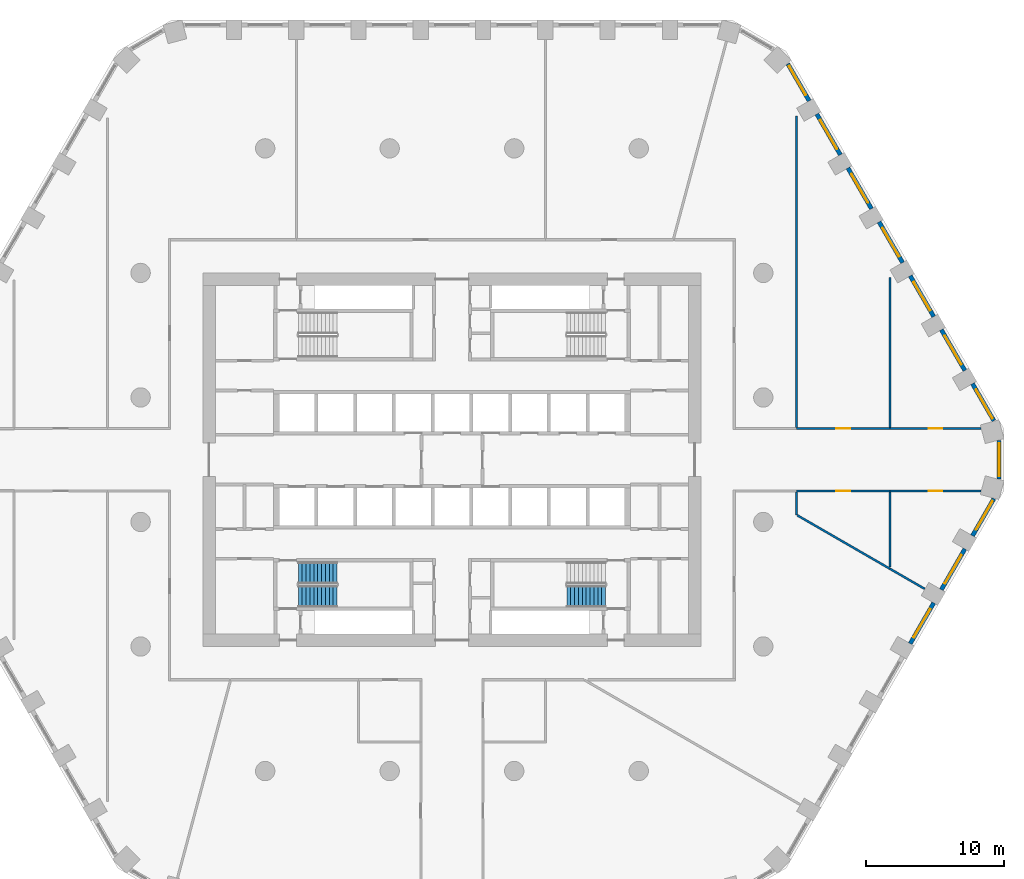
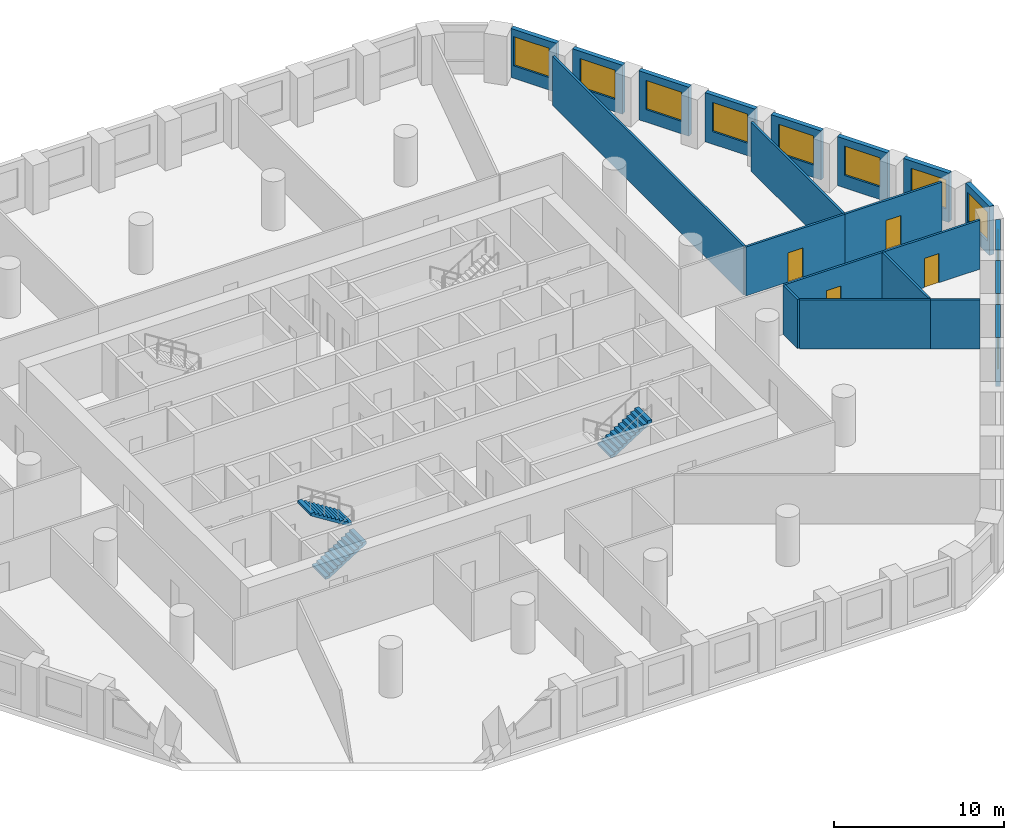
# One storey, part 8 of 10: 21 walls, 11 windows, 4 doors, 3 stair flights, 15 openings, 2 elements without a shape of their own.
"""IFC4 building model written with IfcOpenShell, lengths in metres."""

from ifc_helpers import new_model, si_unit, direction, frame, frame_2d, origin, place, context, subcontext, project, spatial, polyline, rectangle, outline, extrude, material, layer, layer_set, type_object, element, fill, aggregate, save


model = new_model("IFC4")

# Units and contexts
model_context = context("Model", 3, precision=1e-05, world=origin(), true_north=direction((0.0, 1.0)))
body_context = subcontext(model_context, "Body", "Model", "MODEL_VIEW")
ifc_project = project(units=[si_unit("LENGTHUNIT", "METRE"), si_unit("AREAUNIT", "SQUARE_METRE"), si_unit("VOLUMEUNIT", "CUBIC_METRE"), si_unit("PLANEANGLEUNIT", "RADIAN"), si_unit("MASSUNIT", "GRAM", prefix="KILO")], contexts=[model_context])

# Site, building, storey
site_placement = place(None, origin())
site = spatial("IfcSite", under=ifc_project, at=site_placement, CompositionType="ELEMENT")
building_placement = place(site_placement, origin())
building = spatial("IfcBuilding", under=site, at=building_placement, Name="Dhurran Vertical Campus", CompositionType="ELEMENT")
storey_placement = place(building_placement, frame((0.0, 0.0, 65.10009765625)))
storey = spatial("IfcBuildingStorey", under=building, at=storey_placement, Name="L15", CompositionType="ELEMENT", Elevation=65.10009765625)

# Wall, opening, window
ifc_material_1 = material(Name="Precast concrete C50/60", Category="concrete")
ifc_layer_1 = layer(ifc_material_1, 0.300048828125)
ifc_layer_set_1 = layer_set([ifc_layer_1], Name="Precast concrete C50/60")
wall_type_1 = type_object("IfcWallType", Name="Precast spandrel wall 300", PredefinedType="SOLIDWALL", material=ifc_layer_set_1)
wall_1_placement = place(storey_placement, frame((33.119384765625, -13.28955078125, 0.0), z_axis=(0.0, 0.0, 1.0), x_axis=(0.499993955907, 0.866028893315, 0.0)))
wall_1 = element("IfcWall", 1, at=wall_1_placement, inside=storey, type_object=wall_type_1, Name="EW1 L15.14", PredefinedType="SOLIDWALL", context=body_context, shape_type="SweptSolid", body=[
    extrude(rectangle(XDim=3.39892578125, YDim=0.300048828125, at=frame_2d((1.699462890625, 0.0))), origin(), (0.0, 0.0, 1.0), 3.52490234375),
])
opening_1_placement = place(wall_1_placement, frame((0.49951171875, 0.0, 0.89990234375)))
opening_1 = element("IfcOpeningElement", 2, at=opening_1_placement, cuts=wall_1, Name="Opening WT1", PredefinedType="OPENING", context=body_context, shape_type="SweptSolid", body=[
    extrude(rectangle(XDim=2.39990234375, YDim=2.10009765625, at=frame_2d((1.199951171875, 1.050048828125))), frame((0.0, 0.159912109375, 0.0), z_axis=(0.0, -1.0, 0.0), x_axis=(1.0, 0.0, 0.0)), (0.0, 0.0, 1.0), 0.320068359375),
])
ifc_material_2 = material(Name="Aluminium frame with solar-control glass", Category="aluminium")
window_type = type_object("IfcWindowType", Name="Punched window 2400 x 2100", PartitioningType="SINGLE_PANEL", PredefinedType="WINDOW", material=ifc_material_2)
window_1_placement = place(opening_1_placement, origin())
window_1 = element("IfcWindow", 3, at=window_1_placement, inside=storey, type_object=window_type, Name="WT1 L15.14", OverallHeight=2.10009765625, OverallWidth=2.39990234375, PartitioningType="SINGLE_PANEL", PredefinedType="WINDOW", context=body_context, shape_type="SweptSolid", body=[
    extrude(rectangle(XDim=2.39990234375, YDim=2.10009765625, at=frame_2d((1.199951171875, 1.050048828125))), frame((0.0, 0.030029296875, 0.0), z_axis=(0.0, -1.0, 0.0), x_axis=(1.0, 0.0, 0.0)), (0.0, 0.0, 1.0), 0.06005859375),
])
fill(opening_1, window_1)

wall_2_placement = place(storey_placement, frame((35.369384765625, -9.392578125, 0.0), z_axis=(0.0, 0.0, 1.0), x_axis=(0.499993955907, 0.866028893315, 0.0)))
wall_2 = element("IfcWall", 4, at=wall_2_placement, inside=storey, type_object=wall_type_1, Name="EW1 L15.15", PredefinedType="SOLIDWALL", context=body_context, shape_type="SweptSolid", body=[
    extrude(rectangle(XDim=3.39892578125, YDim=0.300048828125, at=frame_2d((1.699462890625, 0.0))), origin(), (0.0, 0.0, 1.0), 3.52490234375),
])
opening_2_placement = place(wall_2_placement, frame((0.49951171875, 0.0, 0.89990234375)))
opening_2 = element("IfcOpeningElement", 5, at=opening_2_placement, cuts=wall_2, Name="Opening WT1", PredefinedType="OPENING", context=body_context, shape_type="SweptSolid", body=[
    extrude(rectangle(XDim=2.39990234375, YDim=2.10009765625, at=frame_2d((1.199951171875, 1.050048828125))), frame((0.0, 0.159912109375, 0.0), z_axis=(0.0, -1.0, 0.0), x_axis=(1.0, 0.0, 0.0)), (0.0, 0.0, 1.0), 0.320068359375),
])
window_2_placement = place(opening_2_placement, origin())
window_2 = element("IfcWindow", 6, at=window_2_placement, inside=storey, type_object=window_type, Name="WT1 L15.15", OverallHeight=2.10009765625, OverallWidth=2.39990234375, PartitioningType="SINGLE_PANEL", PredefinedType="WINDOW", context=body_context, shape_type="SweptSolid", body=[
    extrude(rectangle(XDim=2.39990234375, YDim=2.10009765625, at=frame_2d((1.199951171875, 1.050048828125))), frame((0.0, 0.030029296875, 0.0), z_axis=(0.0, -1.0, 0.0), x_axis=(1.0, 0.0, 0.0)), (0.0, 0.0, 1.0), 0.06005859375),
])
fill(opening_2, window_2)

wall_3_placement = place(storey_placement, frame((37.619384765625, -5.495361328125, 0.0), z_axis=(0.0, 0.0, 1.0), x_axis=(0.49997090907, 0.866042198789, 0.0)))
wall_3 = element("IfcWall", 7, at=wall_3_placement, inside=storey, type_object=wall_type_1, Name="EW1 L15.16", PredefinedType="SOLIDWALL", context=body_context, shape_type="SweptSolid", body=[
    extrude(rectangle(XDim=3.090576171875, YDim=0.300048828125, at=frame_2d((1.54541015625, 0.0))), origin(), (0.0, 0.0, 1.0), 3.52490234375),
])
opening_3_placement = place(wall_3_placement, frame((0.49951171875, 0.0, 0.89990234375)))
opening_3 = element("IfcOpeningElement", 8, at=opening_3_placement, cuts=wall_3, Name="Opening WT1", PredefinedType="OPENING", context=body_context, shape_type="SweptSolid", body=[
    extrude(rectangle(XDim=2.39990234375, YDim=2.10009765625, at=frame_2d((1.199951171875, 1.050048828125))), frame((0.0, 0.159912109375, 0.0), z_axis=(0.0, -1.0, 0.0), x_axis=(1.0, 0.0, 0.0)), (0.0, 0.0, 1.0), 0.320068359375),
])
window_3_placement = place(opening_3_placement, origin())
window_3 = element("IfcWindow", 9, at=window_3_placement, inside=storey, type_object=window_type, Name="WT1 L15.16", OverallHeight=2.10009765625, OverallWidth=2.39990234375, PartitioningType="SINGLE_PANEL", PredefinedType="WINDOW", context=body_context, shape_type="SweptSolid", body=[
    extrude(rectangle(XDim=2.39990234375, YDim=2.10009765625, at=frame_2d((1.199951171875, 1.050048828125))), frame((0.0, 0.030029296875, 0.0), z_axis=(0.0, -1.0, 0.0), x_axis=(1.0, 0.0, 0.0)), (0.0, 0.0, 1.0), 0.06005859375),
])
fill(opening_3, window_3)

wall_4_placement = place(storey_placement, frame((39.547119140625, -1.39111328125, 0.0), z_axis=(0.0, 0.0, 1.0), x_axis=(0.0, 1.0, 0.0)))
wall_4 = element("IfcWall", 10, at=wall_4_placement, inside=storey, type_object=wall_type_1, Name="EW1 L15.17", PredefinedType="SOLIDWALL", context=body_context, shape_type="SweptSolid", body=[
    extrude(rectangle(XDim=2.7822265625, YDim=0.300048828125, at=frame_2d((1.39111328125, 0.0))), origin(), (0.0, 0.0, 1.0), 3.52490234375),
])
opening_4_placement = place(wall_4_placement, frame((0.191162109375, 0.0, 0.89990234375)))
opening_4 = element("IfcOpeningElement", 11, at=opening_4_placement, cuts=wall_4, Name="Opening WT1", PredefinedType="OPENING", context=body_context, shape_type="SweptSolid", body=[
    extrude(rectangle(XDim=2.39990234375, YDim=2.10009765625, at=frame_2d((1.199951171875, 1.050048828125))), frame((0.0, 0.159912109375, 0.0), z_axis=(0.0, -1.0, 0.0), x_axis=(1.0, 0.0, 0.0)), (0.0, 0.0, 1.0), 0.320068359375),
])
window_4_placement = place(opening_4_placement, origin())
window_4 = element("IfcWindow", 12, at=window_4_placement, inside=storey, type_object=window_type, Name="WT1 L15.17", OverallHeight=2.10009765625, OverallWidth=2.39990234375, PartitioningType="SINGLE_PANEL", PredefinedType="WINDOW", context=body_context, shape_type="SweptSolid", body=[
    extrude(rectangle(XDim=2.39990234375, YDim=2.10009765625, at=frame_2d((1.199951171875, 1.050048828125))), frame((0.0, 0.030029296875, 0.0), z_axis=(0.0, -1.0, 0.0), x_axis=(1.0, 0.0, 0.0)), (0.0, 0.0, 1.0), 0.06005859375),
])
fill(opening_4, window_4)

wall_5_placement = place(storey_placement, frame((39.16455078125, 2.81884765625, 0.0), z_axis=(0.0, 0.0, 1.0), x_axis=(-0.49997090907, 0.866042198789, 0.0)))
wall_5 = element("IfcWall", 13, at=wall_5_placement, inside=storey, type_object=wall_type_1, Name="EW1 L15.18", PredefinedType="SOLIDWALL", context=body_context, shape_type="SweptSolid", body=[
    extrude(rectangle(XDim=3.090576171875, YDim=0.300048828125, at=frame_2d((1.54541015625, 0.0))), origin(), (0.0, 0.0, 1.0), 3.52490234375),
])
opening_5_placement = place(wall_5_placement, frame((0.19091796875, 0.0, 0.89990234375)))
opening_5 = element("IfcOpeningElement", 14, at=opening_5_placement, cuts=wall_5, Name="Opening WT1", PredefinedType="OPENING", context=body_context, shape_type="SweptSolid", body=[
    extrude(rectangle(XDim=2.39990234375, YDim=2.10009765625, at=frame_2d((1.199951171875, 1.050048828125))), frame((0.0, 0.159912109375, 0.0), z_axis=(0.0, -1.0, 0.0), x_axis=(1.0, 0.0, 0.0)), (0.0, 0.0, 1.0), 0.320068359375),
])
window_5_placement = place(opening_5_placement, origin())
window_5 = element("IfcWindow", 15, at=window_5_placement, inside=storey, type_object=window_type, Name="WT1 L15.18", OverallHeight=2.10009765625, OverallWidth=2.39990234375, PartitioningType="SINGLE_PANEL", PredefinedType="WINDOW", context=body_context, shape_type="SweptSolid", body=[
    extrude(rectangle(XDim=2.39990234375, YDim=2.10009765625, at=frame_2d((1.199951171875, 1.050048828125))), frame((0.0, 0.030029296875, 0.0), z_axis=(0.0, -1.0, 0.0), x_axis=(1.0, 0.0, 0.0)), (0.0, 0.0, 1.0), 0.06005859375),
])
fill(opening_5, window_5)

wall_6_placement = place(storey_placement, frame((37.06884765625, 6.448974609375, 0.0), z_axis=(0.0, 0.0, 1.0), x_axis=(-0.499993955907, 0.866028893315, 0.0)))
wall_6 = element("IfcWall", 16, at=wall_6_placement, inside=storey, type_object=wall_type_1, Name="EW1 L15.19", PredefinedType="SOLIDWALL", context=body_context, shape_type="SweptSolid", body=[
    extrude(rectangle(XDim=3.39892578125, YDim=0.300048828125, at=frame_2d((1.699462890625, 0.0))), origin(), (0.0, 0.0, 1.0), 3.52490234375),
])
opening_6_placement = place(wall_6_placement, frame((0.49951171875, 0.0, 0.89990234375)))
opening_6 = element("IfcOpeningElement", 17, at=opening_6_placement, cuts=wall_6, Name="Opening WT1", PredefinedType="OPENING", context=body_context, shape_type="SweptSolid", body=[
    extrude(rectangle(XDim=2.39990234375, YDim=2.10009765625, at=frame_2d((1.199951171875, 1.050048828125))), frame((0.0, 0.159912109375, 0.0), z_axis=(0.0, -1.0, 0.0), x_axis=(1.0, 0.0, 0.0)), (0.0, 0.0, 1.0), 0.320068359375),
])
window_6_placement = place(opening_6_placement, origin())
window_6 = element("IfcWindow", 18, at=window_6_placement, inside=storey, type_object=window_type, Name="WT1 L15.19", OverallHeight=2.10009765625, OverallWidth=2.39990234375, PartitioningType="SINGLE_PANEL", PredefinedType="WINDOW", context=body_context, shape_type="SweptSolid", body=[
    extrude(rectangle(XDim=2.39990234375, YDim=2.10009765625, at=frame_2d((1.199951171875, 1.050048828125))), frame((0.0, 0.030029296875, 0.0), z_axis=(0.0, -1.0, 0.0), x_axis=(1.0, 0.0, 0.0)), (0.0, 0.0, 1.0), 0.06005859375),
])
fill(opening_6, window_6)

wall_7_placement = place(storey_placement, frame((34.81884765625, 10.345947265625, 0.0), z_axis=(0.0, 0.0, 1.0), x_axis=(-0.499993955907, 0.866028893315, 0.0)))
wall_7 = element("IfcWall", 19, at=wall_7_placement, inside=storey, type_object=wall_type_1, Name="EW1 L15.20", PredefinedType="SOLIDWALL", context=body_context, shape_type="SweptSolid", body=[
    extrude(rectangle(XDim=3.39892578125, YDim=0.300048828125, at=frame_2d((1.699462890625, 0.0))), origin(), (0.0, 0.0, 1.0), 3.52490234375),
])
opening_7_placement = place(wall_7_placement, frame((0.49951171875, 0.0, 0.89990234375)))
opening_7 = element("IfcOpeningElement", 20, at=opening_7_placement, cuts=wall_7, Name="Opening WT1", PredefinedType="OPENING", context=body_context, shape_type="SweptSolid", body=[
    extrude(rectangle(XDim=2.39990234375, YDim=2.10009765625, at=frame_2d((1.199951171875, 1.050048828125))), frame((0.0, 0.159912109375, 0.0), z_axis=(0.0, -1.0, 0.0), x_axis=(1.0, 0.0, 0.0)), (0.0, 0.0, 1.0), 0.320068359375),
])
window_7_placement = place(opening_7_placement, origin())
window_7 = element("IfcWindow", 21, at=window_7_placement, inside=storey, type_object=window_type, Name="WT1 L15.20", OverallHeight=2.10009765625, OverallWidth=2.39990234375, PartitioningType="SINGLE_PANEL", PredefinedType="WINDOW", context=body_context, shape_type="SweptSolid", body=[
    extrude(rectangle(XDim=2.39990234375, YDim=2.10009765625, at=frame_2d((1.199951171875, 1.050048828125))), frame((0.0, 0.030029296875, 0.0), z_axis=(0.0, -1.0, 0.0), x_axis=(1.0, 0.0, 0.0)), (0.0, 0.0, 1.0), 0.06005859375),
])
fill(opening_7, window_7)

wall_8_placement = place(storey_placement, frame((32.56884765625, 14.2431640625, 0.0), z_axis=(0.0, 0.0, 1.0), x_axis=(-0.499993955907, 0.866028893315, 0.0)))
wall_8 = element("IfcWall", 22, at=wall_8_placement, inside=storey, type_object=wall_type_1, Name="EW1 L15.21", PredefinedType="SOLIDWALL", context=body_context, shape_type="SweptSolid", body=[
    extrude(rectangle(XDim=3.39892578125, YDim=0.300048828125, at=frame_2d((1.699462890625, 0.0))), origin(), (0.0, 0.0, 1.0), 3.52490234375),
])
opening_8_placement = place(wall_8_placement, frame((0.49951171875, 0.0, 0.89990234375)))
opening_8 = element("IfcOpeningElement", 23, at=opening_8_placement, cuts=wall_8, Name="Opening WT1", PredefinedType="OPENING", context=body_context, shape_type="SweptSolid", body=[
    extrude(rectangle(XDim=2.39990234375, YDim=2.10009765625, at=frame_2d((1.199951171875, 1.050048828125))), frame((0.0, 0.159912109375, 0.0), z_axis=(0.0, -1.0, 0.0), x_axis=(1.0, 0.0, 0.0)), (0.0, 0.0, 1.0), 0.320068359375),
])
window_8_placement = place(opening_8_placement, origin())
window_8 = element("IfcWindow", 24, at=window_8_placement, inside=storey, type_object=window_type, Name="WT1 L15.21", OverallHeight=2.10009765625, OverallWidth=2.39990234375, PartitioningType="SINGLE_PANEL", PredefinedType="WINDOW", context=body_context, shape_type="SweptSolid", body=[
    extrude(rectangle(XDim=2.39990234375, YDim=2.10009765625, at=frame_2d((1.199951171875, 1.050048828125))), frame((0.0, 0.030029296875, 0.0), z_axis=(0.0, -1.0, 0.0), x_axis=(1.0, 0.0, 0.0)), (0.0, 0.0, 1.0), 0.06005859375),
])
fill(opening_8, window_8)

wall_9_placement = place(storey_placement, frame((30.31884765625, 18.14013671875, 0.0), z_axis=(0.0, 0.0, 1.0), x_axis=(-0.499993955907, 0.866028893315, 0.0)))
wall_9 = element("IfcWall", 25, at=wall_9_placement, inside=storey, type_object=wall_type_1, Name="EW1 L15.22", PredefinedType="SOLIDWALL", context=body_context, shape_type="SweptSolid", body=[
    extrude(rectangle(XDim=3.39892578125, YDim=0.300048828125, at=frame_2d((1.699462890625, 0.0))), origin(), (0.0, 0.0, 1.0), 3.52490234375),
])
opening_9_placement = place(wall_9_placement, frame((0.49951171875, 0.0, 0.89990234375)))
opening_9 = element("IfcOpeningElement", 26, at=opening_9_placement, cuts=wall_9, Name="Opening WT1", PredefinedType="OPENING", context=body_context, shape_type="SweptSolid", body=[
    extrude(rectangle(XDim=2.39990234375, YDim=2.10009765625, at=frame_2d((1.199951171875, 1.050048828125))), frame((0.0, 0.159912109375, 0.0), z_axis=(0.0, -1.0, 0.0), x_axis=(1.0, 0.0, 0.0)), (0.0, 0.0, 1.0), 0.320068359375),
])
window_9_placement = place(opening_9_placement, origin())
window_9 = element("IfcWindow", 27, at=window_9_placement, inside=storey, type_object=window_type, Name="WT1 L15.22", OverallHeight=2.10009765625, OverallWidth=2.39990234375, PartitioningType="SINGLE_PANEL", PredefinedType="WINDOW", context=body_context, shape_type="SweptSolid", body=[
    extrude(rectangle(XDim=2.39990234375, YDim=2.10009765625, at=frame_2d((1.199951171875, 1.050048828125))), frame((0.0, 0.030029296875, 0.0), z_axis=(0.0, -1.0, 0.0), x_axis=(1.0, 0.0, 0.0)), (0.0, 0.0, 1.0), 0.06005859375),
])
fill(opening_9, window_9)

wall_10_placement = place(storey_placement, frame((28.06884765625, 22.037353515625, 0.0), z_axis=(0.0, 0.0, 1.0), x_axis=(-0.499993955907, 0.866028893315, 0.0)))
wall_10 = element("IfcWall", 28, at=wall_10_placement, inside=storey, type_object=wall_type_1, Name="EW1 L15.23", PredefinedType="SOLIDWALL", context=body_context, shape_type="SweptSolid", body=[
    extrude(rectangle(XDim=3.39892578125, YDim=0.300048828125, at=frame_2d((1.699462890625, 0.0))), origin(), (0.0, 0.0, 1.0), 3.52490234375),
])
opening_10_placement = place(wall_10_placement, frame((0.49951171875, 0.0, 0.89990234375)))
opening_10 = element("IfcOpeningElement", 29, at=opening_10_placement, cuts=wall_10, Name="Opening WT1", PredefinedType="OPENING", context=body_context, shape_type="SweptSolid", body=[
    extrude(rectangle(XDim=2.39990234375, YDim=2.10009765625, at=frame_2d((1.199951171875, 1.050048828125))), frame((0.0, 0.159912109375, 0.0), z_axis=(0.0, -1.0, 0.0), x_axis=(1.0, 0.0, 0.0)), (0.0, 0.0, 1.0), 0.320068359375),
])
window_10_placement = place(opening_10_placement, origin())
window_10 = element("IfcWindow", 30, at=window_10_placement, inside=storey, type_object=window_type, Name="WT1 L15.23", OverallHeight=2.10009765625, OverallWidth=2.39990234375, PartitioningType="SINGLE_PANEL", PredefinedType="WINDOW", context=body_context, shape_type="SweptSolid", body=[
    extrude(rectangle(XDim=2.39990234375, YDim=2.10009765625, at=frame_2d((1.199951171875, 1.050048828125))), frame((0.0, 0.030029296875, 0.0), z_axis=(0.0, -1.0, 0.0), x_axis=(1.0, 0.0, 0.0)), (0.0, 0.0, 1.0), 0.06005859375),
])
fill(opening_10, window_10)

wall_11_placement = place(storey_placement, frame((25.81884765625, 25.934326171875, 0.0), z_axis=(0.0, 0.0, 1.0), x_axis=(-0.499995950774, 0.866027741594, 0.0)))
wall_11 = element("IfcWall", 31, at=wall_11_placement, inside=storey, type_object=wall_type_1, Name="EW1 L15.24", PredefinedType="SOLIDWALL", context=body_context, shape_type="SweptSolid", body=[
    extrude(rectangle(XDim=3.0908203125, YDim=0.300048828125, at=frame_2d((1.54541015625, 0.0))), origin(), (0.0, 0.0, 1.0), 3.52490234375),
])
opening_11_placement = place(wall_11_placement, frame((0.49951171875, 0.0, 0.89990234375)))
opening_11 = element("IfcOpeningElement", 32, at=opening_11_placement, cuts=wall_11, Name="Opening WT1", PredefinedType="OPENING", context=body_context, shape_type="SweptSolid", body=[
    extrude(rectangle(XDim=2.39990234375, YDim=2.10009765625, at=frame_2d((1.199951171875, 1.050048828125))), frame((0.0, 0.159912109375, 0.0), z_axis=(0.0, -1.0, 0.0), x_axis=(1.0, 0.0, 0.0)), (0.0, 0.0, 1.0), 0.320068359375),
])
window_11_placement = place(opening_11_placement, origin())
window_11 = element("IfcWindow", 33, at=window_11_placement, inside=storey, type_object=window_type, Name="WT1 L15.24", OverallHeight=2.10009765625, OverallWidth=2.39990234375, PartitioningType="SINGLE_PANEL", PredefinedType="WINDOW", context=body_context, shape_type="SweptSolid", body=[
    extrude(rectangle(XDim=2.39990234375, YDim=2.10009765625, at=frame_2d((1.199951171875, 1.050048828125))), frame((0.0, 0.030029296875, 0.0), z_axis=(0.0, -1.0, 0.0), x_axis=(1.0, 0.0, 0.0)), (0.0, 0.0, 1.0), 0.06005859375),
])
fill(opening_11, window_11)

# Wall, opening, door
ifc_material_3 = material(Name="Gypsum board corridor wall on steel studs", Category="steel")
ifc_layer_2 = layer(ifc_material_3, 0.14990234375)
ifc_layer_set_2 = layer_set([ifc_layer_2], Name="Gypsum board corridor wall on steel studs")
wall_type_2 = type_object("IfcWallType", Name="fl-CW-150 corridor wall", PredefinedType="PARTITIONING", material=ifc_layer_set_2)
wall_12_placement = place(storey_placement, frame((31.64990234375, -2.25, 0.0), z_axis=(0.0, 0.0, 1.0), x_axis=(-1.0, 0.0, 0.0)))
wall_12 = element("IfcWall", 34, at=wall_12_placement, inside=storey, type_object=wall_type_2, Name="Partition 15-42", PredefinedType="PARTITIONING", context=body_context, shape_type="SweptSolid", body=[
    extrude(rectangle(XDim=6.75, YDim=0.14990234375, at=frame_2d((3.375, 0.0))), origin(), (0.0, 0.0, 1.0), 3.52490234375),
])
opening_12_placement = place(wall_12_placement, frame((2.875, 0.0, 0.0)))
opening_12 = element("IfcOpeningElement", 35, at=opening_12_placement, cuts=wall_12, Name="Opening T04.16", PredefinedType="OPENING", context=body_context, shape_type="SweptSolid", body=[
    extrude(rectangle(XDim=1.0, YDim=2.10009765625, at=frame_2d((0.5, 1.050048828125))), frame((0.0, 0.0849609375, 0.0), z_axis=(0.0, -1.0, 0.0), x_axis=(1.0, 0.0, 0.0)), (0.0, 0.0, 1.0), 0.169921875),
])
ifc_material_4 = material(Name="Solid-core timber door set, fire-rated", Category="wood")
door_type = type_object("IfcDoorType", Name="fl-D-1000x2100", OperationType="SINGLE_SWING_LEFT", PredefinedType="DOOR", material=ifc_material_4)
door_1_placement = place(opening_12_placement, origin())
door_1 = element("IfcDoor", 36, at=door_1_placement, inside=storey, type_object=door_type, Name="Door 15.16", OperationType="SINGLE_SWING_LEFT", OverallHeight=2.10009765625, OverallWidth=1.0, PredefinedType="DOOR", context=body_context, shape_type="SweptSolid", body=[
    extrude(rectangle(XDim=1.0, YDim=2.10009765625, at=frame_2d((0.5, 1.050048828125))), frame((0.0, 0.02490234375, 0.0), z_axis=(0.0, -1.0, 0.0), x_axis=(1.0, 0.0, 0.0)), (0.0, 0.0, 1.0), 0.050048828125),
])
fill(opening_12, door_1)

wall_13_placement = place(storey_placement, frame((24.89990234375, 2.25, 0.0), z_axis=(0.0, 0.0, 1.0), x_axis=(1.0, 0.0, 0.0)))
wall_13 = element("IfcWall", 37, at=wall_13_placement, inside=storey, type_object=wall_type_2, Name="Partition 15-44", PredefinedType="PARTITIONING", context=body_context, shape_type="SweptSolid", body=[
    extrude(rectangle(XDim=6.75, YDim=0.14990234375, at=frame_2d((3.375, 0.0))), origin(), (0.0, 0.0, 1.0), 3.52490234375),
])
opening_13_placement = place(wall_13_placement, frame((2.875, 0.0, 0.0)))
opening_13 = element("IfcOpeningElement", 38, at=opening_13_placement, cuts=wall_13, Name="Opening T04.15", PredefinedType="OPENING", context=body_context, shape_type="SweptSolid", body=[
    extrude(rectangle(XDim=1.0, YDim=2.10009765625, at=frame_2d((0.5, 1.050048828125))), frame((0.0, 0.0849609375, 0.0), z_axis=(0.0, -1.0, 0.0), x_axis=(1.0, 0.0, 0.0)), (0.0, 0.0, 1.0), 0.169921875),
])
door_2_placement = place(opening_13_placement, origin())
door_2 = element("IfcDoor", 39, at=door_2_placement, inside=storey, type_object=door_type, Name="Door 15.15", OperationType="SINGLE_SWING_RIGHT", OverallHeight=2.10009765625, OverallWidth=1.0, PredefinedType="DOOR", context=body_context, shape_type="SweptSolid", body=[
    extrude(rectangle(XDim=1.0, YDim=2.10009765625, at=frame_2d((0.5, 1.050048828125))), frame((0.0, 0.02490234375, 0.0), z_axis=(0.0, -1.0, 0.0), x_axis=(1.0, 0.0, 0.0)), (0.0, 0.0, 1.0), 0.050048828125),
])
fill(opening_13, door_2)

wall_14_placement = place(storey_placement, frame((38.23291015625, -2.25, 0.0), z_axis=(0.0, 0.0, 1.0), x_axis=(-1.0, 0.0, 0.0)))
wall_14 = element("IfcWall", 40, at=wall_14_placement, inside=storey, type_object=wall_type_2, Name="Partition 15-47", PredefinedType="PARTITIONING", context=body_context, shape_type="SweptSolid", body=[
    extrude(rectangle(XDim=6.5830078125, YDim=0.14990234375, at=frame_2d((3.29150390625, 0.0))), origin(), (0.0, 0.0, 1.0), 3.52490234375),
])
opening_14_placement = place(wall_14_placement, frame((2.79150390625, 0.0, 0.0)))
opening_14 = element("IfcOpeningElement", 41, at=opening_14_placement, cuts=wall_14, Name="Opening T04.18", PredefinedType="OPENING", context=body_context, shape_type="SweptSolid", body=[
    extrude(rectangle(XDim=1.0, YDim=2.10009765625, at=frame_2d((0.5, 1.050048828125))), frame((0.0, 0.0849609375, 0.0), z_axis=(0.0, -1.0, 0.0), x_axis=(1.0, 0.0, 0.0)), (0.0, 0.0, 1.0), 0.169921875),
])
door_3_placement = place(opening_14_placement, origin())
door_3 = element("IfcDoor", 42, at=door_3_placement, inside=storey, type_object=door_type, Name="Door 15.18", OperationType="SINGLE_SWING_LEFT", OverallHeight=2.10009765625, OverallWidth=1.0, PredefinedType="DOOR", context=body_context, shape_type="SweptSolid", body=[
    extrude(rectangle(XDim=1.0, YDim=2.10009765625, at=frame_2d((0.5, 1.050048828125))), frame((0.0, 0.02490234375, 0.0), z_axis=(0.0, -1.0, 0.0), x_axis=(1.0, 0.0, 0.0)), (0.0, 0.0, 1.0), 0.050048828125),
])
fill(opening_14, door_3)

wall_15_placement = place(storey_placement, frame((31.64990234375, 2.25, 0.0), z_axis=(0.0, 0.0, 1.0), x_axis=(1.0, 0.0, 0.0)))
wall_15 = element("IfcWall", 43, at=wall_15_placement, inside=storey, type_object=wall_type_2, Name="Partition 15-49", PredefinedType="PARTITIONING", context=body_context, shape_type="SweptSolid", body=[
    extrude(rectangle(XDim=6.5830078125, YDim=0.14990234375, at=frame_2d((3.29150390625, 0.0))), origin(), (0.0, 0.0, 1.0), 3.52490234375),
])
opening_15_placement = place(wall_15_placement, frame((2.79150390625, 0.0, 0.0)))
opening_15 = element("IfcOpeningElement", 44, at=opening_15_placement, cuts=wall_15, Name="Opening T04.17", PredefinedType="OPENING", context=body_context, shape_type="SweptSolid", body=[
    extrude(rectangle(XDim=1.0, YDim=2.10009765625, at=frame_2d((0.5, 1.050048828125))), frame((0.0, 0.0849609375, 0.0), z_axis=(0.0, -1.0, 0.0), x_axis=(1.0, 0.0, 0.0)), (0.0, 0.0, 1.0), 0.169921875),
])
door_4_placement = place(opening_15_placement, origin())
door_4 = element("IfcDoor", 45, at=door_4_placement, inside=storey, type_object=door_type, Name="Door 15.17", OperationType="SINGLE_SWING_RIGHT", OverallHeight=2.10009765625, OverallWidth=1.0, PredefinedType="DOOR", context=body_context, shape_type="SweptSolid", body=[
    extrude(rectangle(XDim=1.0, YDim=2.10009765625, at=frame_2d((0.5, 1.050048828125))), frame((0.0, 0.02490234375, 0.0), z_axis=(0.0, -1.0, 0.0), x_axis=(1.0, 0.0, 0.0)), (0.0, 0.0, 1.0), 0.050048828125),
])
fill(opening_15, door_4)

# Walls
ifc_material_5 = material(Name="Folding acoustic partition panels")
ifc_layer_3 = layer(ifc_material_5, 0.14990234375)
ifc_layer_set_3 = layer_set([ifc_layer_3], Name="Folding acoustic partition panels")
wall_type_3 = type_object("IfcWallType", Name="fl-MW-150 movable partition", PredefinedType="MOVABLE", material=ifc_layer_set_3)
wall_16_placement = place(storey_placement, frame((31.64990234375, 13.152099609375, 0.0), z_axis=(0.0, 0.0, 1.0), x_axis=(0.0, -1.0, 0.0)))
element("IfcWall", 46, at=wall_16_placement, inside=storey, type_object=wall_type_3, Name="Partition 15-48", PredefinedType="MOVABLE", context=body_context, shape_type="SweptSolid", body=[
    extrude(rectangle(XDim=10.8271484375, YDim=0.14990234375, at=frame_2d((5.41357421875, 0.0))), origin(), (0.0, 0.0, 1.0), 3.52490234375),
])
ifc_material_6 = material(Name="Gypsum board partition on steel studs", Category="steel")
ifc_layer_4 = layer(ifc_material_6, 0.14990234375)
ifc_layer_set_4 = layer_set([ifc_layer_4], Name="Gypsum board partition on steel studs")
wall_type_4 = type_object("IfcWallType", Name="fl-PW-150 fixed partition", PredefinedType="PARTITIONING", material=ifc_layer_set_4)
wall_17_placement = place(storey_placement, frame((24.89990234375, -2.324951171875, 0.0), z_axis=(0.0, 0.0, 1.0), x_axis=(0.0, -1.0, 0.0)))
element("IfcWall", 47, at=wall_17_placement, inside=storey, type_object=wall_type_4, Name="Partition 15-40", PredefinedType="PARTITIONING", context=body_context, shape_type="SweptSolid", body=[
    extrude(rectangle(XDim=1.68408203125, YDim=0.14990234375, at=frame_2d((0.842041015625, 0.0))), origin(), (0.0, 0.0, 1.0), 3.52490234375),
])
wall_18_placement = place(storey_placement, frame((24.965087890625, -4.021484375, 0.0), z_axis=(0.0, 0.0, 1.0), x_axis=(0.866017566024, -0.500013575153, 0.0)))
element("IfcWall", 48, at=wall_18_placement, inside=storey, type_object=wall_type_4, Name="Partition 15-41", PredefinedType="PARTITIONING", context=body_context, shape_type="SweptSolid", body=[
    extrude(rectangle(XDim=7.718994140625, YDim=0.14990234375, at=frame_2d((3.859375, 0.0))), origin(), (0.0, 0.0, 1.0), 3.52490234375),
])
wall_19_placement = place(storey_placement, frame((24.89990234375, 24.843017578125, 0.0), z_axis=(0.0, 0.0, 1.0), x_axis=(0.0, -1.0, 0.0)))
element("IfcWall", 49, at=wall_19_placement, inside=storey, type_object=wall_type_4, Name="Partition 15-43", PredefinedType="PARTITIONING", context=body_context, shape_type="SweptSolid", body=[
    extrude(rectangle(XDim=22.51806640625, YDim=0.14990234375, at=frame_2d((11.259033203125, 0.0))), origin(), (0.0, 0.0, 1.0), 3.52490234375),
])
wall_20_placement = place(storey_placement, frame((31.64990234375, -2.324951171875, 0.0), z_axis=(0.0, 0.0, 1.0), x_axis=(0.0, -1.0, 0.0)))
element("IfcWall", 50, at=wall_20_placement, inside=storey, type_object=wall_type_4, Name="Partition 15-45", PredefinedType="PARTITIONING", context=body_context, shape_type="SweptSolid", body=[
    extrude(rectangle(XDim=5.426025390625, YDim=0.14990234375, at=frame_2d((2.712890625, 0.0))), origin(), (0.0, 0.0, 1.0), 3.52490234375),
])
wall_21_placement = place(storey_placement, frame((31.64990234375, -7.881103515625, 0.0), z_axis=(0.0, 0.0, 1.0), x_axis=(0.866063904005, -0.499933309731, 0.0)))
element("IfcWall", 51, at=wall_21_placement, inside=storey, type_object=wall_type_4, Name="Partition 15-46", PredefinedType="PARTITIONING", context=body_context, shape_type="SweptSolid", body=[
    extrude(rectangle(XDim=2.90673828125, YDim=0.14990234375, at=frame_2d((1.453369140625, 0.0))), origin(), (0.0, 0.0, 1.0), 3.52490234375),
])

# Stair, stair flights
ifc_material_7 = material(Name="Concrete C40/50", Category="concrete")
stair_type = type_object("IfcStairType", Name="co-ST-CORE", PredefinedType="HALF_TURN_STAIR", material=ifc_material_7)
stair_1_placement = place(storey_placement, origin())
stair_1 = element("IfcStair", 52, at=stair_1_placement, inside=storey, type_object=stair_type, Name="L15 Protected exit stair ST3", PredefinedType="HALF_TURN_STAIR")
ifc_material_8 = material(Name="Concrete C40/50", Category="concrete")
stair_flight_type = type_object("IfcStairFlightType", Name="co-SFL-RC", PredefinedType="STRAIGHT", material=ifc_material_8)
stair_flight_1_placement = place(storey_placement, frame((-11.10009765625, -9.875, 0.0), z_axis=(0.0, 0.0, 1.0), x_axis=(1.0, 0.0, 0.0)))
stair_flight_1 = element("IfcStairFlight", 53, at=stair_flight_1_placement, type_object=stair_flight_type, Name="ST3 flight 1", NumberOfRisers=11, NumberOfTreads=10, PredefinedType="STRAIGHT", RiserHeight=0.177272727, TreadLength=0.28, context=body_context, shape_type="SweptSolid", body=[
    extrude(outline(polyline([(0.0, 0.0), (0.0, 0.17724609375), (0.280029296875, 0.17724609375), (0.280029296875, 0.3544921875), (0.56005859375, 0.3544921875), (0.56005859375, 0.53173828125), (0.840087890625, 0.53173828125), (0.840087890625, 0.708984375), (1.1201171875, 0.708984375), (1.1201171875, 0.886474609375), (1.39990234375, 0.886474609375), (1.39990234375, 1.063720703125), (1.679931640625, 1.063720703125), (1.679931640625, 1.240966796875), (1.9599609375, 1.240966796875), (1.9599609375, 1.418212890625), (2.239990234375, 1.418212890625), (2.239990234375, 1.595458984375), (2.52001953125, 1.595458984375), (2.52001953125, 1.772705078125), (2.800048828125, 1.772705078125), (2.800048828125, 1.949951171875), (2.800048828125, 1.59521484375), (0.2802734375, 0.0), (0.0, 0.0)])), frame((0.0, 0.77490234375, 0.0), z_axis=(0.0, -1.0, 0.0), x_axis=(1.0, 0.0, 0.0)), (0.0, 0.0, 1.0), 1.550048828125),
])
stair_flight_2_placement = place(storey_placement, frame((-8.300048828125, -8.175048828125, 1.949951171875), z_axis=(0.0, 0.0, 1.0), x_axis=(-1.0, 0.0, 0.0)))
stair_flight_2 = element("IfcStairFlight", 54, at=stair_flight_2_placement, type_object=stair_flight_type, Name="ST3 flight 2", NumberOfRisers=11, NumberOfTreads=10, PredefinedType="STRAIGHT", RiserHeight=0.177272727, TreadLength=0.28, context=body_context, shape_type="SweptSolid", body=[
    extrude(outline(polyline([(0.0, 0.0), (0.0, 0.17724609375), (0.280029296875, 0.17724609375), (0.280029296875, 0.3544921875), (0.56005859375, 0.3544921875), (0.56005859375, 0.53173828125), (0.840087890625, 0.53173828125), (0.840087890625, 0.708984375), (1.1201171875, 0.708984375), (1.1201171875, 0.886474609375), (1.39990234375, 0.886474609375), (1.39990234375, 1.063720703125), (1.679931640625, 1.063720703125), (1.679931640625, 1.240966796875), (1.9599609375, 1.240966796875), (1.9599609375, 1.418212890625), (2.239990234375, 1.418212890625), (2.239990234375, 1.595458984375), (2.52001953125, 1.595458984375), (2.52001953125, 1.772705078125), (2.800048828125, 1.772705078125), (2.800048828125, 1.949951171875), (2.800048828125, 1.59521484375), (0.2802734375, 0.0), (0.0, 0.0)])), frame((0.0, 0.77490234375, 0.0), z_axis=(0.0, -1.0, 0.0), x_axis=(1.0, 0.0, 0.0)), (0.0, 0.0, 1.0), 1.550048828125),
])
aggregate(stair_1, [stair_flight_1, stair_flight_2])

# Stair, stair flight
stair_2_placement = place(storey_placement, origin())
stair_2 = element("IfcStair", 55, at=stair_2_placement, inside=storey, type_object=stair_type, Name="L15 Protected exit stair ST4", PredefinedType="HALF_TURN_STAIR")
stair_flight_3_placement = place(storey_placement, frame((8.300048828125, -9.875, 1.949951171875), z_axis=(0.0, 0.0, 1.0), x_axis=(1.0, 0.0, 0.0)))
stair_flight_3 = element("IfcStairFlight", 56, at=stair_flight_3_placement, type_object=stair_flight_type, Name="ST4 flight 2", NumberOfRisers=11, NumberOfTreads=10, PredefinedType="STRAIGHT", RiserHeight=0.177272727, TreadLength=0.28, context=body_context, shape_type="SweptSolid", body=[
    extrude(outline(polyline([(0.0, 0.0), (0.0, 0.17724609375), (0.280029296875, 0.17724609375), (0.280029296875, 0.3544921875), (0.56005859375, 0.3544921875), (0.56005859375, 0.53173828125), (0.840087890625, 0.53173828125), (0.840087890625, 0.708984375), (1.1201171875, 0.708984375), (1.1201171875, 0.886474609375), (1.39990234375, 0.886474609375), (1.39990234375, 1.063720703125), (1.679931640625, 1.063720703125), (1.679931640625, 1.240966796875), (1.9599609375, 1.240966796875), (1.9599609375, 1.418212890625), (2.239990234375, 1.418212890625), (2.239990234375, 1.595458984375), (2.52001953125, 1.595458984375), (2.52001953125, 1.772705078125), (2.800048828125, 1.772705078125), (2.800048828125, 1.949951171875), (2.800048828125, 1.59521484375), (0.2802734375, 0.0), (0.0, 0.0)])), frame((0.0, 0.77490234375, 0.0), z_axis=(0.0, -1.0, 0.0), x_axis=(1.0, 0.0, 0.0)), (0.0, 0.0, 1.0), 1.550048828125),
])
aggregate(stair_2, [stair_flight_3])

save(model, "model.ifc")
